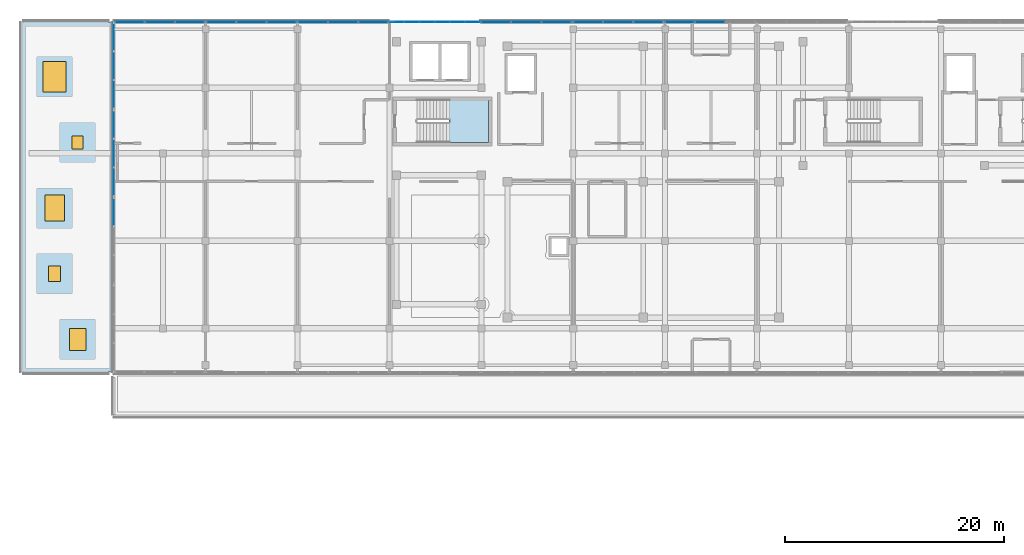
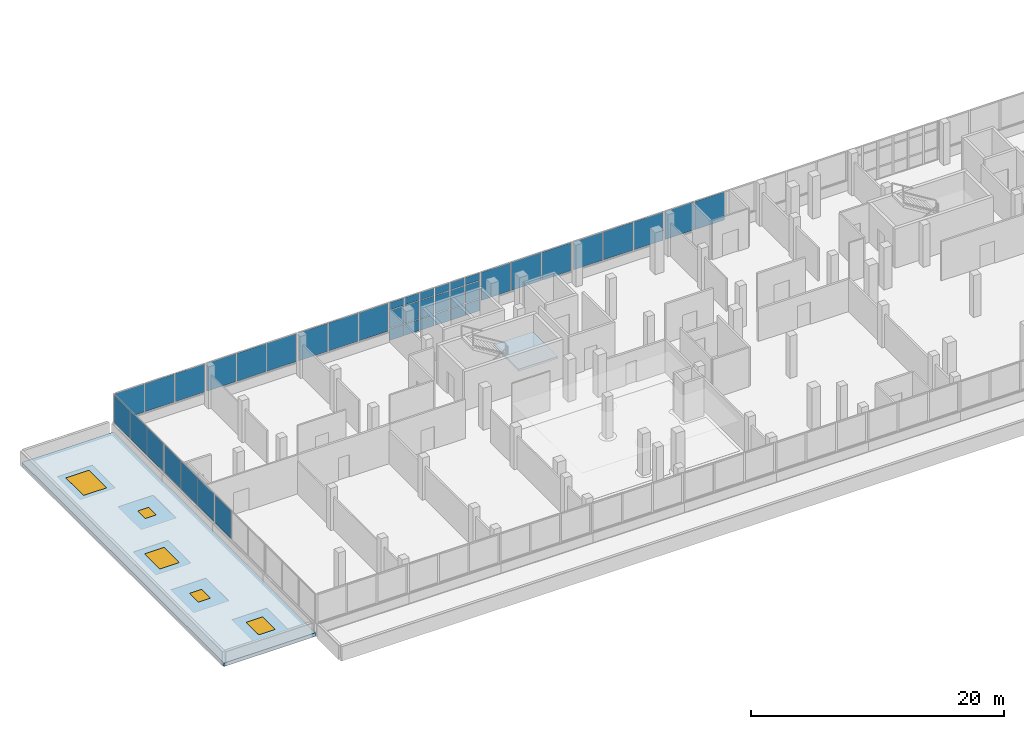
# One storey, part 60 of 78: 42 plates, 3 windows, 2 doors, 2 slabs, 5 openings, 11 elements without a shape of their own.
"""IFC4 building model written with IfcOpenShell, lengths in metres."""

from ifc_helpers import new_model, si_unit, direction, frame, origin, origin_2d, place, context, subcontext, project, spatial, polyline, rectangle, outline, extrude, material, layer, layer_set, type_object, element, fill, aggregate, save


model = new_model("IFC4")

# Units and contexts
model_context = context("Model", 3, precision=1e-05, world=origin(), true_north=direction((0.0, 1.0)))
body_context = subcontext(model_context, "Body", "Model", "MODEL_VIEW")
ifc_project = project(units=[si_unit("LENGTHUNIT", "METRE"), si_unit("AREAUNIT", "SQUARE_METRE"), si_unit("VOLUMEUNIT", "CUBIC_METRE"), si_unit("PLANEANGLEUNIT", "RADIAN"), si_unit("MASSUNIT", "GRAM", prefix="KILO")], contexts=[model_context])

# Site, building, storey
site_placement = place(None, origin())
site = spatial("IfcSite", under=ifc_project, at=site_placement, CompositionType="ELEMENT")
building_placement = place(site_placement, origin())
building = spatial("IfcBuilding", under=site, at=building_placement, Name="Selatvlak General Hospital", CompositionType="ELEMENT")
storey_placement = place(building_placement, frame((0.0, 0.0, 23.25)))
storey = spatial("IfcBuildingStorey", under=building, at=storey_placement, Name="L05", CompositionType="ELEMENT", Elevation=23.25)

# Curtain wall, plate
ifc_material_1 = material(Name="Solar-control Low-E double glazing", Category="glass")
curtain_wall_type_1 = type_object("IfcCurtainWallType", Name="CW-CW-02", PredefinedType="USERDEFINED", material=ifc_material_1)
curtain_wall_1_placement = place(storey_placement, origin())
curtain_wall_1 = element("IfcCurtainWall", 1, at=curtain_wall_1_placement, inside=storey, type_object=curtain_wall_type_1, Name="Glazed facade curtain wall CW-L05-0544", ObjectType="UNITISED CURTAIN WALL", PredefinedType="USERDEFINED")
ifc_layer_1 = layer(ifc_material_1, 0.028076171875, Name="Solar-control Low-E double glazing", Category="glass")
ifc_layer_set_1 = layer_set([ifc_layer_1], Name="Solar-control Low-E double glazing")
plate_type = type_object("IfcPlateType", Name="CWP-01", PredefinedType="CURTAIN_PANEL", material=ifc_layer_set_1)
plate_1_placement = place(storey_placement, frame((22.800048828125, 102.64794921875, 1.0048828125), z_axis=(0.0, 0.0, 1.0), x_axis=(0.0, 1.0, 0.0)))
plate_1 = element("IfcPlate", 2, at=plate_1_placement, type_object=plate_type, Name="CW-02 panel 3.1", PredefinedType="CURTAIN_PANEL", context=body_context, shape_type="SweptSolid", body=[
    extrude(rectangle(XDim=2.542236328125, YDim=0.028076171875, at=origin_2d()), origin(), (0.0, 0.0, 1.0), 2.705078125),
])
aggregate(curtain_wall_1, [plate_1])

# Curtain wall, plates
curtain_wall_type_2 = type_object("IfcCurtainWallType", Name="CW-CW-01", PredefinedType="USERDEFINED", material=ifc_material_1)
curtain_wall_2_placement = place(storey_placement, origin())
curtain_wall_2 = element("IfcCurtainWall", 3, at=curtain_wall_2_placement, inside=storey, type_object=curtain_wall_type_2, Name="Glazed facade curtain wall CW-L05-0545", ObjectType="UNITISED CURTAIN WALL", PredefinedType="USERDEFINED")
plate_2_placement = place(storey_placement, frame((22.800048828125, 105.400146484375, 1.0048828125), z_axis=(0.0, 0.0, 1.0), x_axis=(0.0, 1.0, 0.0)))
plate_2 = element("IfcPlate", 4, at=plate_2_placement, type_object=plate_type, Name="CW-01 panel 1.1", PredefinedType="CURTAIN_PANEL", context=body_context, shape_type="SweptSolid", body=[
    extrude(rectangle(XDim=2.54248046875, YDim=0.028076171875, at=origin_2d()), origin(), (0.0, 0.0, 1.0), 2.705078125),
])
plate_3_placement = place(storey_placement, frame((22.800048828125, 108.02392578125, 1.0048828125), z_axis=(0.0, 0.0, 1.0), x_axis=(0.0, 1.0, 0.0)))
plate_3 = element("IfcPlate", 5, at=plate_3_placement, type_object=plate_type, Name="CW-01 panel 2.1", PredefinedType="CURTAIN_PANEL", context=body_context, shape_type="SweptSolid", body=[
    extrude(rectangle(XDim=2.574951171875, YDim=0.028076171875, at=origin_2d()), origin(), (0.0, 0.0, 1.0), 2.705078125),
])
plate_4_placement = place(storey_placement, frame((22.800048828125, 110.647705078125, 1.0048828125), z_axis=(0.0, 0.0, 1.0), x_axis=(0.0, 1.0, 0.0)))
plate_4 = element("IfcPlate", 6, at=plate_4_placement, type_object=plate_type, Name="CW-01 panel 3.1", PredefinedType="CURTAIN_PANEL", context=body_context, shape_type="SweptSolid", body=[
    extrude(rectangle(XDim=2.54248046875, YDim=0.028076171875, at=origin_2d()), origin(), (0.0, 0.0, 1.0), 2.705078125),
])
aggregate(curtain_wall_2, [plate_2, plate_3, plate_4])

curtain_wall_3_placement = place(storey_placement, origin())
curtain_wall_3 = element("IfcCurtainWall", 7, at=curtain_wall_3_placement, inside=storey, type_object=curtain_wall_type_1, Name="Glazed facade curtain wall CW-L05-0546", ObjectType="UNITISED CURTAIN WALL", PredefinedType="USERDEFINED")
plate_5_placement = place(storey_placement, frame((22.800048828125, 113.400146484375, 1.0048828125), z_axis=(0.0, 0.0, 1.0), x_axis=(0.0, 1.0, 0.0)))
plate_5 = element("IfcPlate", 8, at=plate_5_placement, type_object=plate_type, Name="CW-02 panel 1.1", PredefinedType="CURTAIN_PANEL", context=body_context, shape_type="SweptSolid", body=[
    extrude(rectangle(XDim=2.54248046875, YDim=0.028076171875, at=origin_2d()), origin(), (0.0, 0.0, 1.0), 2.705078125),
])
plate_6_placement = place(storey_placement, frame((22.800048828125, 116.02392578125, 1.0048828125), z_axis=(0.0, 0.0, 1.0), x_axis=(0.0, 1.0, 0.0)))
plate_6 = element("IfcPlate", 9, at=plate_6_placement, type_object=plate_type, Name="CW-02 panel 2.1", PredefinedType="CURTAIN_PANEL", context=body_context, shape_type="SweptSolid", body=[
    extrude(rectangle(XDim=2.574951171875, YDim=0.028076171875, at=origin_2d()), origin(), (0.0, 0.0, 1.0), 2.705078125),
])
plate_7_placement = place(storey_placement, frame((22.800048828125, 118.647705078125, 1.0048828125), z_axis=(0.0, 0.0, 1.0), x_axis=(0.0, 1.0, 0.0)))
plate_7 = element("IfcPlate", 10, at=plate_7_placement, type_object=plate_type, Name="CW-02 panel 3.1", PredefinedType="CURTAIN_PANEL", context=body_context, shape_type="SweptSolid", body=[
    extrude(rectangle(XDim=2.54248046875, YDim=0.028076171875, at=origin_2d()), origin(), (0.0, 0.0, 1.0), 2.705078125),
])
aggregate(curtain_wall_3, [plate_5, plate_6, plate_7])

curtain_wall_4_placement = place(storey_placement, origin())
curtain_wall_4 = element("IfcCurtainWall", 11, at=curtain_wall_4_placement, inside=storey, type_object=curtain_wall_type_2, Name="Glazed facade curtain wall CW-L05-0547", ObjectType="UNITISED CURTAIN WALL", PredefinedType="USERDEFINED")
plate_8_placement = place(storey_placement, frame((24.264404296875, 119.9990234375, 1.0048828125), z_axis=(0.0, 0.0, 1.0), x_axis=(1.0, 0.0, 0.0)))
plate_8 = element("IfcPlate", 12, at=plate_8_placement, type_object=plate_type, Name="CW-01 panel 1.1", PredefinedType="CURTAIN_PANEL", context=body_context, shape_type="SweptSolid", body=[
    extrude(rectangle(XDim=2.6689453125, YDim=0.028076171875, at=origin_2d()), origin(), (0.0, 0.0, 1.0), 2.705078125),
])
plate_9_placement = place(storey_placement, frame((27.014404296875, 119.9990234375, 1.0048828125), z_axis=(0.0, 0.0, 1.0), x_axis=(1.0, 0.0, 0.0)))
plate_9 = element("IfcPlate", 13, at=plate_9_placement, type_object=plate_type, Name="CW-01 panel 2.1", PredefinedType="CURTAIN_PANEL", context=body_context, shape_type="SweptSolid", body=[
    extrude(rectangle(XDim=2.701416015625, YDim=0.028076171875, at=origin_2d()), origin(), (0.0, 0.0, 1.0), 2.705078125),
])
plate_10_placement = place(storey_placement, frame((29.7646484375, 119.9990234375, 1.0048828125), z_axis=(0.0, 0.0, 1.0), x_axis=(1.0, 0.0, 0.0)))
plate_10 = element("IfcPlate", 14, at=plate_10_placement, type_object=plate_type, Name="CW-01 panel 3.1", PredefinedType="CURTAIN_PANEL", context=body_context, shape_type="SweptSolid", body=[
    extrude(rectangle(XDim=2.6689453125, YDim=0.028076171875, at=origin_2d()), origin(), (0.0, 0.0, 1.0), 2.705078125),
])
aggregate(curtain_wall_4, [plate_8, plate_9, plate_10])

curtain_wall_5_placement = place(storey_placement, origin())
curtain_wall_5 = element("IfcCurtainWall", 15, at=curtain_wall_5_placement, inside=storey, type_object=curtain_wall_type_1, Name="Glazed facade curtain wall CW-L05-0548", ObjectType="UNITISED CURTAIN WALL", PredefinedType="USERDEFINED")
plate_11_placement = place(storey_placement, frame((32.643310546875, 119.9990234375, 1.0048828125), z_axis=(0.0, 0.0, 1.0), x_axis=(1.0, 0.0, 0.0)))
plate_11 = element("IfcPlate", 16, at=plate_11_placement, type_object=plate_type, Name="CW-02 panel 1.1", PredefinedType="CURTAIN_PANEL", context=body_context, shape_type="SweptSolid", body=[
    extrude(rectangle(XDim=2.6689453125, YDim=0.028076171875, at=origin_2d()), origin(), (0.0, 0.0, 1.0), 2.705078125),
])
plate_12_placement = place(storey_placement, frame((35.3935546875, 119.9990234375, 1.0048828125), z_axis=(0.0, 0.0, 1.0), x_axis=(1.0, 0.0, 0.0)))
plate_12 = element("IfcPlate", 17, at=plate_12_placement, type_object=plate_type, Name="CW-02 panel 2.1", PredefinedType="CURTAIN_PANEL", context=body_context, shape_type="SweptSolid", body=[
    extrude(rectangle(XDim=2.701416015625, YDim=0.028076171875, at=origin_2d()), origin(), (0.0, 0.0, 1.0), 2.705078125),
])
plate_13_placement = place(storey_placement, frame((38.1435546875, 119.9990234375, 1.0048828125), z_axis=(0.0, 0.0, 1.0), x_axis=(1.0, 0.0, 0.0)))
plate_13 = element("IfcPlate", 18, at=plate_13_placement, type_object=plate_type, Name="CW-02 panel 3.1", PredefinedType="CURTAIN_PANEL", context=body_context, shape_type="SweptSolid", body=[
    extrude(rectangle(XDim=2.6689453125, YDim=0.028076171875, at=origin_2d()), origin(), (0.0, 0.0, 1.0), 2.705078125),
])
aggregate(curtain_wall_5, [plate_11, plate_12, plate_13])

curtain_wall_6_placement = place(storey_placement, origin())
curtain_wall_6 = element("IfcCurtainWall", 19, at=curtain_wall_6_placement, inside=storey, type_object=curtain_wall_type_2, Name="Glazed facade curtain wall CW-L05-0549", ObjectType="UNITISED CURTAIN WALL", PredefinedType="USERDEFINED")
plate_14_placement = place(storey_placement, frame((41.0224609375, 119.9990234375, 1.0048828125), z_axis=(0.0, 0.0, 1.0), x_axis=(1.0, 0.0, 0.0)))
plate_14 = element("IfcPlate", 20, at=plate_14_placement, type_object=plate_type, Name="CW-01 panel 1.1", PredefinedType="CURTAIN_PANEL", context=body_context, shape_type="SweptSolid", body=[
    extrude(rectangle(XDim=2.6689453125, YDim=0.028076171875, at=origin_2d()), origin(), (0.0, 0.0, 1.0), 2.705078125),
])
plate_15_placement = place(storey_placement, frame((43.7724609375, 119.9990234375, 1.0048828125), z_axis=(0.0, 0.0, 1.0), x_axis=(1.0, 0.0, 0.0)))
plate_15 = element("IfcPlate", 21, at=plate_15_placement, type_object=plate_type, Name="CW-01 panel 2.1", PredefinedType="CURTAIN_PANEL", context=body_context, shape_type="SweptSolid", body=[
    extrude(rectangle(XDim=2.701416015625, YDim=0.028076171875, at=origin_2d()), origin(), (0.0, 0.0, 1.0), 2.705078125),
])
plate_16_placement = place(storey_placement, frame((46.522705078125, 119.9990234375, 1.0048828125), z_axis=(0.0, 0.0, 1.0), x_axis=(1.0, 0.0, 0.0)))
plate_16 = element("IfcPlate", 22, at=plate_16_placement, type_object=plate_type, Name="CW-01 panel 3.1", PredefinedType="CURTAIN_PANEL", context=body_context, shape_type="SweptSolid", body=[
    extrude(rectangle(XDim=2.6689453125, YDim=0.028076171875, at=origin_2d()), origin(), (0.0, 0.0, 1.0), 2.705078125),
])
aggregate(curtain_wall_6, [plate_14, plate_15, plate_16])

curtain_wall_type_3 = type_object("IfcCurtainWallType", Name="CW-CW-04", PredefinedType="USERDEFINED", material=ifc_material_1)
curtain_wall_7_placement = place(storey_placement, origin())
curtain_wall_7 = element("IfcCurtainWall", 23, at=curtain_wall_7_placement, inside=storey, type_object=curtain_wall_type_3, Name="Glazed facade curtain wall CW-L05-0550", ObjectType="STICK GLAZING WALL", PredefinedType="USERDEFINED")
plate_17_placement = place(storey_placement, frame((48.6640625, 119.9990234375, 0.06494140625), z_axis=(0.0, 0.0, 1.0), x_axis=(1.0, 0.0, 0.0)))
plate_17 = element("IfcPlate", 24, at=plate_17_placement, type_object=plate_type, Name="CW-04 panel 1.1", PredefinedType="CURTAIN_PANEL", context=body_context, shape_type="SweptSolid", body=[
    extrude(rectangle(XDim=1.2939453125, YDim=0.028076171875, at=origin_2d()), origin(), (0.0, 0.0, 1.0), 1.1025390625),
])
plate_18_placement = place(storey_placement, frame((48.6640625, 119.9990234375, 1.232421875), z_axis=(0.0, 0.0, 1.0), x_axis=(1.0, 0.0, 0.0)))
plate_18 = element("IfcPlate", 25, at=plate_18_placement, type_object=plate_type, Name="CW-04 panel 1.2", PredefinedType="CURTAIN_PANEL", context=body_context, shape_type="SweptSolid", body=[
    extrude(rectangle(XDim=1.2939453125, YDim=0.028076171875, at=origin_2d()), origin(), (0.0, 0.0, 1.0), 1.7099609375),
])
plate_19_placement = place(storey_placement, frame((48.6640625, 119.9990234375, 3.00732421875), z_axis=(0.0, 0.0, 1.0), x_axis=(1.0, 0.0, 0.0)))
plate_19 = element("IfcPlate", 26, at=plate_19_placement, type_object=plate_type, Name="CW-04 panel 1.3", PredefinedType="CURTAIN_PANEL", context=body_context, shape_type="SweptSolid", body=[
    extrude(rectangle(XDim=1.2939453125, YDim=0.028076171875, at=origin_2d()), origin(), (0.0, 0.0, 1.0), 0.702392578125),
])
plate_20_placement = place(storey_placement, frame((50.039306640625, 119.9990234375, 0.06494140625), z_axis=(0.0, 0.0, 1.0), x_axis=(1.0, 0.0, 0.0)))
plate_20 = element("IfcPlate", 27, at=plate_20_placement, type_object=plate_type, Name="CW-04 panel 2.1", PredefinedType="CURTAIN_PANEL", context=body_context, shape_type="SweptSolid", body=[
    extrude(rectangle(XDim=1.326416015625, YDim=0.028076171875, at=origin_2d()), origin(), (0.0, 0.0, 1.0), 1.1025390625),
])
plate_21_placement = place(storey_placement, frame((50.039306640625, 119.9990234375, 1.232421875), z_axis=(0.0, 0.0, 1.0), x_axis=(1.0, 0.0, 0.0)))
plate_21 = element("IfcPlate", 28, at=plate_21_placement, type_object=plate_type, Name="CW-04 panel 2.2", PredefinedType="CURTAIN_PANEL", context=body_context, shape_type="SweptSolid", body=[
    extrude(rectangle(XDim=1.326416015625, YDim=0.028076171875, at=origin_2d()), origin(), (0.0, 0.0, 1.0), 1.7099609375),
])
plate_22_placement = place(storey_placement, frame((50.039306640625, 119.9990234375, 3.00732421875), z_axis=(0.0, 0.0, 1.0), x_axis=(1.0, 0.0, 0.0)))
plate_22 = element("IfcPlate", 29, at=plate_22_placement, type_object=plate_type, Name="CW-04 panel 2.3", PredefinedType="CURTAIN_PANEL", context=body_context, shape_type="SweptSolid", body=[
    extrude(rectangle(XDim=1.326416015625, YDim=0.028076171875, at=origin_2d()), origin(), (0.0, 0.0, 1.0), 0.702392578125),
])
plate_23_placement = place(storey_placement, frame((51.4306640625, 119.9990234375, 0.06494140625), z_axis=(0.0, 0.0, 1.0), x_axis=(1.0, 0.0, 0.0)))
plate_23 = element("IfcPlate", 30, at=plate_23_placement, type_object=plate_type, Name="CW-04 panel 3.1", PredefinedType="CURTAIN_PANEL", context=body_context, shape_type="SweptSolid", body=[
    extrude(rectangle(XDim=1.326416015625, YDim=0.028076171875, at=origin_2d()), origin(), (0.0, 0.0, 1.0), 1.1025390625),
])
plate_24_placement = place(storey_placement, frame((51.4306640625, 119.9990234375, 1.232421875), z_axis=(0.0, 0.0, 1.0), x_axis=(1.0, 0.0, 0.0)))
plate_24 = element("IfcPlate", 31, at=plate_24_placement, type_object=plate_type, Name="CW-04 panel 3.2", PredefinedType="CURTAIN_PANEL", context=body_context, shape_type="SweptSolid", body=[
    extrude(rectangle(XDim=1.326416015625, YDim=0.028076171875, at=origin_2d()), origin(), (0.0, 0.0, 1.0), 1.7099609375),
])
plate_25_placement = place(storey_placement, frame((51.4306640625, 119.9990234375, 3.00732421875), z_axis=(0.0, 0.0, 1.0), x_axis=(1.0, 0.0, 0.0)))
plate_25 = element("IfcPlate", 32, at=plate_25_placement, type_object=plate_type, Name="CW-04 panel 3.3", PredefinedType="CURTAIN_PANEL", context=body_context, shape_type="SweptSolid", body=[
    extrude(rectangle(XDim=1.326416015625, YDim=0.028076171875, at=origin_2d()), origin(), (0.0, 0.0, 1.0), 0.702392578125),
])
plate_26_placement = place(storey_placement, frame((52.822265625, 119.9990234375, 0.06494140625), z_axis=(0.0, 0.0, 1.0), x_axis=(1.0, 0.0, 0.0)))
plate_26 = element("IfcPlate", 33, at=plate_26_placement, type_object=plate_type, Name="CW-04 panel 4.1", PredefinedType="CURTAIN_PANEL", context=body_context, shape_type="SweptSolid", body=[
    extrude(rectangle(XDim=1.326416015625, YDim=0.028076171875, at=origin_2d()), origin(), (0.0, 0.0, 1.0), 1.1025390625),
])
plate_27_placement = place(storey_placement, frame((52.822265625, 119.9990234375, 1.232421875), z_axis=(0.0, 0.0, 1.0), x_axis=(1.0, 0.0, 0.0)))
plate_27 = element("IfcPlate", 34, at=plate_27_placement, type_object=plate_type, Name="CW-04 panel 4.2", PredefinedType="CURTAIN_PANEL", context=body_context, shape_type="SweptSolid", body=[
    extrude(rectangle(XDim=1.326416015625, YDim=0.028076171875, at=origin_2d()), origin(), (0.0, 0.0, 1.0), 1.7099609375),
])
plate_28_placement = place(storey_placement, frame((52.822265625, 119.9990234375, 3.00732421875), z_axis=(0.0, 0.0, 1.0), x_axis=(1.0, 0.0, 0.0)))
plate_28 = element("IfcPlate", 35, at=plate_28_placement, type_object=plate_type, Name="CW-04 panel 4.3", PredefinedType="CURTAIN_PANEL", context=body_context, shape_type="SweptSolid", body=[
    extrude(rectangle(XDim=1.326416015625, YDim=0.028076171875, at=origin_2d()), origin(), (0.0, 0.0, 1.0), 0.702392578125),
])
plate_29_placement = place(storey_placement, frame((54.2138671875, 119.9990234375, 0.06494140625), z_axis=(0.0, 0.0, 1.0), x_axis=(1.0, 0.0, 0.0)))
plate_29 = element("IfcPlate", 36, at=plate_29_placement, type_object=plate_type, Name="CW-04 panel 5.1", PredefinedType="CURTAIN_PANEL", context=body_context, shape_type="SweptSolid", body=[
    extrude(rectangle(XDim=1.326416015625, YDim=0.028076171875, at=origin_2d()), origin(), (0.0, 0.0, 1.0), 1.1025390625),
])
plate_30_placement = place(storey_placement, frame((54.2138671875, 119.9990234375, 1.232421875), z_axis=(0.0, 0.0, 1.0), x_axis=(1.0, 0.0, 0.0)))
plate_30 = element("IfcPlate", 37, at=plate_30_placement, type_object=plate_type, Name="CW-04 panel 5.2", PredefinedType="CURTAIN_PANEL", context=body_context, shape_type="SweptSolid", body=[
    extrude(rectangle(XDim=1.326416015625, YDim=0.028076171875, at=origin_2d()), origin(), (0.0, 0.0, 1.0), 1.7099609375),
])
plate_31_placement = place(storey_placement, frame((54.2138671875, 119.9990234375, 3.00732421875), z_axis=(0.0, 0.0, 1.0), x_axis=(1.0, 0.0, 0.0)))
plate_31 = element("IfcPlate", 38, at=plate_31_placement, type_object=plate_type, Name="CW-04 panel 5.3", PredefinedType="CURTAIN_PANEL", context=body_context, shape_type="SweptSolid", body=[
    extrude(rectangle(XDim=1.326416015625, YDim=0.028076171875, at=origin_2d()), origin(), (0.0, 0.0, 1.0), 0.702392578125),
])
plate_32_placement = place(storey_placement, frame((55.589111328125, 119.9990234375, 0.06494140625), z_axis=(0.0, 0.0, 1.0), x_axis=(1.0, 0.0, 0.0)))
plate_32 = element("IfcPlate", 39, at=plate_32_placement, type_object=plate_type, Name="CW-04 panel 6.1", PredefinedType="CURTAIN_PANEL", context=body_context, shape_type="SweptSolid", body=[
    extrude(rectangle(XDim=1.2939453125, YDim=0.028076171875, at=origin_2d()), origin(), (0.0, 0.0, 1.0), 1.1025390625),
])
plate_33_placement = place(storey_placement, frame((55.589111328125, 119.9990234375, 1.232421875), z_axis=(0.0, 0.0, 1.0), x_axis=(1.0, 0.0, 0.0)))
plate_33 = element("IfcPlate", 40, at=plate_33_placement, type_object=plate_type, Name="CW-04 panel 6.2", PredefinedType="CURTAIN_PANEL", context=body_context, shape_type="SweptSolid", body=[
    extrude(rectangle(XDim=1.2939453125, YDim=0.028076171875, at=origin_2d()), origin(), (0.0, 0.0, 1.0), 1.7099609375),
])
plate_34_placement = place(storey_placement, frame((55.589111328125, 119.9990234375, 3.00732421875), z_axis=(0.0, 0.0, 1.0), x_axis=(1.0, 0.0, 0.0)))
plate_34 = element("IfcPlate", 41, at=plate_34_placement, type_object=plate_type, Name="CW-04 panel 6.3", PredefinedType="CURTAIN_PANEL", context=body_context, shape_type="SweptSolid", body=[
    extrude(rectangle(XDim=1.2939453125, YDim=0.028076171875, at=origin_2d()), origin(), (0.0, 0.0, 1.0), 0.702392578125),
])
aggregate(curtain_wall_7, [plate_17, plate_18, plate_19, plate_20, plate_21, plate_22, plate_23, plate_24, plate_25, plate_26, plate_27, plate_28, plate_29, plate_30, plate_31, plate_32, plate_33, plate_34])

curtain_wall_8_placement = place(storey_placement, origin())
curtain_wall_8 = element("IfcCurtainWall", 42, at=curtain_wall_8_placement, inside=storey, type_object=curtain_wall_type_2, Name="Glazed facade curtain wall CW-L05-0551", ObjectType="UNITISED CURTAIN WALL", PredefinedType="USERDEFINED")
plate_35_placement = place(storey_placement, frame((57.738525390625, 119.9990234375, 1.0048828125), z_axis=(0.0, 0.0, 1.0), x_axis=(1.0, 0.0, 0.0)))
plate_35 = element("IfcPlate", 43, at=plate_35_placement, type_object=plate_type, Name="CW-01 panel 1.1", PredefinedType="CURTAIN_PANEL", context=body_context, shape_type="SweptSolid", body=[
    extrude(rectangle(XDim=2.68505859375, YDim=0.028076171875, at=origin_2d()), origin(), (0.0, 0.0, 1.0), 2.705078125),
])
plate_36_placement = place(storey_placement, frame((60.5048828125, 119.9990234375, 1.0048828125), z_axis=(0.0, 0.0, 1.0), x_axis=(1.0, 0.0, 0.0)))
plate_36 = element("IfcPlate", 44, at=plate_36_placement, type_object=plate_type, Name="CW-01 panel 2.1", PredefinedType="CURTAIN_PANEL", context=body_context, shape_type="SweptSolid", body=[
    extrude(rectangle(XDim=2.7177734375, YDim=0.028076171875, at=origin_2d()), origin(), (0.0, 0.0, 1.0), 2.705078125),
])
plate_37_placement = place(storey_placement, frame((63.271484375, 119.9990234375, 1.0048828125), z_axis=(0.0, 0.0, 1.0), x_axis=(1.0, 0.0, 0.0)))
plate_37 = element("IfcPlate", 45, at=plate_37_placement, type_object=plate_type, Name="CW-01 panel 3.1", PredefinedType="CURTAIN_PANEL", context=body_context, shape_type="SweptSolid", body=[
    extrude(rectangle(XDim=2.68505859375, YDim=0.028076171875, at=origin_2d()), origin(), (0.0, 0.0, 1.0), 2.705078125),
])
aggregate(curtain_wall_8, [plate_35, plate_36, plate_37])

curtain_wall_9_placement = place(storey_placement, origin())
curtain_wall_9 = element("IfcCurtainWall", 46, at=curtain_wall_9_placement, inside=storey, type_object=curtain_wall_type_1, Name="Glazed facade curtain wall CW-L05-0552", ObjectType="UNITISED CURTAIN WALL", PredefinedType="USERDEFINED")
plate_38_placement = place(storey_placement, frame((66.158447265625, 119.9990234375, 1.0048828125), z_axis=(0.0, 0.0, 1.0), x_axis=(1.0, 0.0, 0.0)))
plate_38 = element("IfcPlate", 47, at=plate_38_placement, type_object=plate_type, Name="CW-02 panel 1.1", PredefinedType="CURTAIN_PANEL", context=body_context, shape_type="SweptSolid", body=[
    extrude(rectangle(XDim=2.6689453125, YDim=0.028076171875, at=origin_2d()), origin(), (0.0, 0.0, 1.0), 2.705078125),
])
plate_39_placement = place(storey_placement, frame((68.908447265625, 119.9990234375, 1.0048828125), z_axis=(0.0, 0.0, 1.0), x_axis=(1.0, 0.0, 0.0)))
plate_39 = element("IfcPlate", 48, at=plate_39_placement, type_object=plate_type, Name="CW-02 panel 2.1", PredefinedType="CURTAIN_PANEL", context=body_context, shape_type="SweptSolid", body=[
    extrude(rectangle(XDim=2.701416015625, YDim=0.028076171875, at=origin_2d()), origin(), (0.0, 0.0, 1.0), 2.705078125),
])
plate_40_placement = place(storey_placement, frame((71.65869140625, 119.9990234375, 1.0048828125), z_axis=(0.0, 0.0, 1.0), x_axis=(1.0, 0.0, 0.0)))
plate_40 = element("IfcPlate", 49, at=plate_40_placement, type_object=plate_type, Name="CW-02 panel 3.1", PredefinedType="CURTAIN_PANEL", context=body_context, shape_type="SweptSolid", body=[
    extrude(rectangle(XDim=2.6689453125, YDim=0.028076171875, at=origin_2d()), origin(), (0.0, 0.0, 1.0), 2.705078125),
])
aggregate(curtain_wall_9, [plate_38, plate_39, plate_40])

curtain_wall_10_placement = place(storey_placement, origin())
curtain_wall_10 = element("IfcCurtainWall", 50, at=curtain_wall_10_placement, inside=storey, type_object=curtain_wall_type_2, Name="Glazed facade curtain wall CW-L05-0553", ObjectType="UNITISED CURTAIN WALL", PredefinedType="USERDEFINED")
plate_41_placement = place(storey_placement, frame((74.537353515625, 119.9990234375, 1.0048828125), z_axis=(0.0, 0.0, 1.0), x_axis=(1.0, 0.0, 0.0)))
plate_41 = element("IfcPlate", 51, at=plate_41_placement, type_object=plate_type, Name="CW-01 panel 1.1", PredefinedType="CURTAIN_PANEL", context=body_context, shape_type="SweptSolid", body=[
    extrude(rectangle(XDim=2.6689453125, YDim=0.028076171875, at=origin_2d()), origin(), (0.0, 0.0, 1.0), 2.705078125),
])
plate_42_placement = place(storey_placement, frame((77.28759765625, 119.9990234375, 1.0048828125), z_axis=(0.0, 0.0, 1.0), x_axis=(1.0, 0.0, 0.0)))
plate_42 = element("IfcPlate", 52, at=plate_42_placement, type_object=plate_type, Name="CW-01 panel 2.1", PredefinedType="CURTAIN_PANEL", context=body_context, shape_type="SweptSolid", body=[
    extrude(rectangle(XDim=2.701416015625, YDim=0.028076171875, at=origin_2d()), origin(), (0.0, 0.0, 1.0), 2.705078125),
])
aggregate(curtain_wall_10, [plate_41, plate_42])

# Stair, slab
ifc_material_2 = material(Name="Precast concrete C40/50", Category="concrete")
stair_type = type_object("IfcStairType", Name="STAIR-ST-01", PredefinedType="HALF_TURN_STAIR", material=ifc_material_2)
stair_placement = place(storey_placement, origin())
stair = element("IfcStair", 53, at=stair_placement, inside=storey, type_object=stair_type, Name="L05 Protected exit stair ST-01", PredefinedType="HALF_TURN_STAIR")
ifc_material_3 = material(Name="Concrete C40/50", Category="concrete")
ifc_layer_2 = layer(ifc_material_3, 0.199951171875, Name="Concrete C40/50", Category="concrete")
ifc_layer_set_2 = layer_set([ifc_layer_2], Name="Concrete C40/50")
slab_type_1 = type_object("IfcSlabType", Name="SLAB-LND1", PredefinedType="LANDING", material=ifc_layer_set_2)
slab_1_placement = place(storey_placement, frame((0.0, 0.0, 1.824951171875)))
slab_1 = element("IfcSlab", 54, at=slab_1_placement, type_object=slab_type_1, Name="ST-01 landing 1", PredefinedType="LANDING", context=body_context, shape_type="SweptSolid", body=[
    extrude(outline(polyline([(53.465087890625, 109.0), (57.050048828125, 109.0), (57.050048828125, 112.93994140625), (53.465087890625, 112.93994140625), (53.465087890625, 109.0)])), origin(), (0.0, 0.0, 1.0), 0.199951171875),
])
aggregate(stair, [slab_1])

# Slab, openings, doors, windows
ifc_layer_3 = layer(ifc_material_3, 0.33203125, Name="Concrete C40/50", Category="concrete")
ifc_layer_set_3 = layer_set([ifc_layer_3], Name="Concrete C40/50")
slab_type_2 = type_object("IfcSlabType", Name="SLAB-SL-RF5", PredefinedType="ROOF", material=ifc_layer_set_3)
slab_2_placement = place(storey_placement, frame((0.0, 0.0, -0.281982421875)))
slab_2 = element("IfcSlab", 55, at=slab_2_placement, inside=storey, type_object=slab_type_2, Name="L05 roof slab ROOF-V3", PredefinedType="ROOF", context=body_context, shape_type="SweptSolid", body=[
    extrude(outline(polyline([(14.39990234375, 88.0), (14.39990234375, 120.0), (22.7919921875, 120.0), (22.7919921875, 88.0), (14.39990234375, 88.0)]), holes=[polyline([(18.75, 90.0), (20.25, 90.0), (20.25, 92.0), (18.75, 92.0), (18.75, 90.0)]), polyline([(16.85009765625, 96.300048828125), (17.949951171875, 96.300048828125), (17.949951171875, 97.699951171875), (16.85009765625, 97.699951171875), (16.85009765625, 96.300048828125)]), polyline([(16.5, 101.800048828125), (18.300048828125, 101.800048828125), (18.300048828125, 104.199951171875), (16.5, 104.199951171875), (16.5, 101.800048828125)]), polyline([(19.0, 108.39990234375), (20.0, 108.39990234375), (20.0, 109.60009765625), (19.0, 109.60009765625), (19.0, 108.39990234375)]), polyline([(16.35009765625, 113.60009765625), (18.449951171875, 113.60009765625), (18.449951171875, 116.39990234375), (16.35009765625, 116.39990234375), (16.35009765625, 113.60009765625)])]), origin(), (0.0, 0.0, 1.0), 0.33203125),
])
opening_1_placement = place(slab_2_placement, frame((19.5, 91.0, 0.0)))
opening_1 = element("IfcOpeningElement", 56, at=opening_1_placement, cuts=slab_2, Name="Opening SK-03", PredefinedType="OPENING", context=body_context, shape_type="SweptSolid", body=[
    extrude(rectangle(XDim=1.5, YDim=2.0, at=origin_2d()), frame((0.0, 0.0, -0.010009765625)), (0.0, 0.0, 1.0), 0.35205078125),
])
opening_2_placement = place(slab_2_placement, frame((17.39990234375, 97.0, 0.0)))
opening_2 = element("IfcOpeningElement", 57, at=opening_2_placement, cuts=slab_2, Name="Opening DH-02", PredefinedType="OPENING", context=body_context, shape_type="SweptSolid", body=[
    extrude(rectangle(XDim=1.10009765625, YDim=1.39990234375, at=origin_2d()), frame((0.0, 0.0, -0.010009765625)), (0.0, 0.0, 1.0), 0.35205078125),
])
opening_3_placement = place(slab_2_placement, frame((17.39990234375, 103.0, 0.0)))
opening_3 = element("IfcOpeningElement", 58, at=opening_3_placement, cuts=slab_2, Name="Opening SK-01", PredefinedType="OPENING", context=body_context, shape_type="SweptSolid", body=[
    extrude(rectangle(XDim=1.800048828125, YDim=2.39990234375, at=origin_2d()), frame((0.0, 0.0, -0.010009765625)), (0.0, 0.0, 1.0), 0.35205078125),
])
opening_4_placement = place(slab_2_placement, frame((19.5, 109.0, 0.0)))
opening_4 = element("IfcOpeningElement", 59, at=opening_4_placement, cuts=slab_2, Name="Opening DH-01", PredefinedType="OPENING", context=body_context, shape_type="SweptSolid", body=[
    extrude(rectangle(XDim=1.0, YDim=1.199951171875, at=origin_2d()), frame((0.0, 0.0, -0.010009765625)), (0.0, 0.0, 1.0), 0.35205078125),
])
opening_5_placement = place(slab_2_placement, frame((17.39990234375, 115.0, 0.0)))
opening_5 = element("IfcOpeningElement", 60, at=opening_5_placement, cuts=slab_2, Name="Opening SK-02", PredefinedType="OPENING", context=body_context, shape_type="SweptSolid", body=[
    extrude(rectangle(XDim=2.10009765625, YDim=2.800048828125, at=origin_2d()), frame((0.0, 0.0, -0.010009765625)), (0.0, 0.0, 1.0), 0.35205078125),
])
ifc_material_4 = material(Name="Anodised aluminium insulated hatch", Category="aluminium")
door_type_1 = type_object("IfcDoorType", Name="DOOR-HT-01", OperationType="SINGLE_SWING_LEFT", PredefinedType="TRAPDOOR", material=ifc_material_4)
door_1_placement = place(opening_4_placement, frame((0.0, 0.0, 0.281982421875)))
door_1 = element("IfcDoor", 61, at=door_1_placement, inside=storey, type_object=door_type_1, Name="Roof access hatch 5", OperationType="SINGLE_SWING_LEFT", OverallHeight=1.199951171875, OverallWidth=1.0, PredefinedType="TRAPDOOR", context=body_context, shape_type="SweptSolid", body=[
    extrude(rectangle(XDim=1.0, YDim=1.199951171875, at=origin_2d()), origin(), (0.0, 0.0, 1.0), 0.050048828125),
])
fill(opening_4, door_1)
door_type_2 = type_object("IfcDoorType", Name="DOOR-HT-02", OperationType="SINGLE_SWING_LEFT", PredefinedType="TRAPDOOR", material=ifc_material_4)
door_2_placement = place(opening_2_placement, frame((0.0, 0.0, 0.281982421875)))
door_2 = element("IfcDoor", 62, at=door_2_placement, inside=storey, type_object=door_type_2, Name="Roof access hatch 4", OperationType="SINGLE_SWING_LEFT", OverallHeight=1.39990234375, OverallWidth=1.10009765625, PredefinedType="TRAPDOOR", context=body_context, shape_type="SweptSolid", body=[
    extrude(rectangle(XDim=1.10009765625, YDim=1.39990234375, at=origin_2d()), origin(), (0.0, 0.0, 1.0), 0.050048828125),
])
fill(opening_2, door_2)
ifc_material_5 = material(Name="Double-glazed thermally broken skylight")
window_type_1 = type_object("IfcWindowType", Name="WIN-SKY-01", PartitioningType="SINGLE_PANEL", PredefinedType="SKYLIGHT", material=ifc_material_5)
window_1_placement = place(opening_3_placement, frame((0.0, 0.0, 0.281982421875)))
window_1 = element("IfcWindow", 63, at=window_1_placement, inside=storey, type_object=window_type_1, Name="Roof clerestory skylight 4", OverallHeight=2.39990234375, OverallWidth=1.800048828125, PartitioningType="SINGLE_PANEL", PredefinedType="SKYLIGHT", context=body_context, shape_type="SweptSolid", body=[
    extrude(rectangle(XDim=1.800048828125, YDim=2.39990234375, at=origin_2d()), origin(), (0.0, 0.0, 1.0), 0.050048828125),
])
fill(opening_3, window_1)
window_type_2 = type_object("IfcWindowType", Name="WIN-SKY-02", PartitioningType="SINGLE_PANEL", PredefinedType="SKYLIGHT", material=ifc_material_5)
window_2_placement = place(opening_5_placement, frame((0.0, 0.0, 0.281982421875)))
window_2 = element("IfcWindow", 64, at=window_2_placement, inside=storey, type_object=window_type_2, Name="Roof clerestory skylight 5", OverallHeight=2.800048828125, OverallWidth=2.10009765625, PartitioningType="SINGLE_PANEL", PredefinedType="SKYLIGHT", context=body_context, shape_type="SweptSolid", body=[
    extrude(rectangle(XDim=2.10009765625, YDim=2.800048828125, at=origin_2d()), origin(), (0.0, 0.0, 1.0), 0.050048828125),
])
fill(opening_5, window_2)
window_type_3 = type_object("IfcWindowType", Name="WIN-SKY-03", PartitioningType="SINGLE_PANEL", PredefinedType="SKYLIGHT", material=ifc_material_5)
window_3_placement = place(opening_1_placement, frame((0.0, 0.0, 0.281982421875)))
window_3 = element("IfcWindow", 65, at=window_3_placement, inside=storey, type_object=window_type_3, Name="Roof clerestory skylight 3", OverallHeight=2.0, OverallWidth=1.5, PartitioningType="SINGLE_PANEL", PredefinedType="SKYLIGHT", context=body_context, shape_type="SweptSolid", body=[
    extrude(rectangle(XDim=1.5, YDim=2.0, at=origin_2d()), origin(), (0.0, 0.0, 1.0), 0.050048828125),
])
fill(opening_1, window_3)

save(model, "model.ifc")
